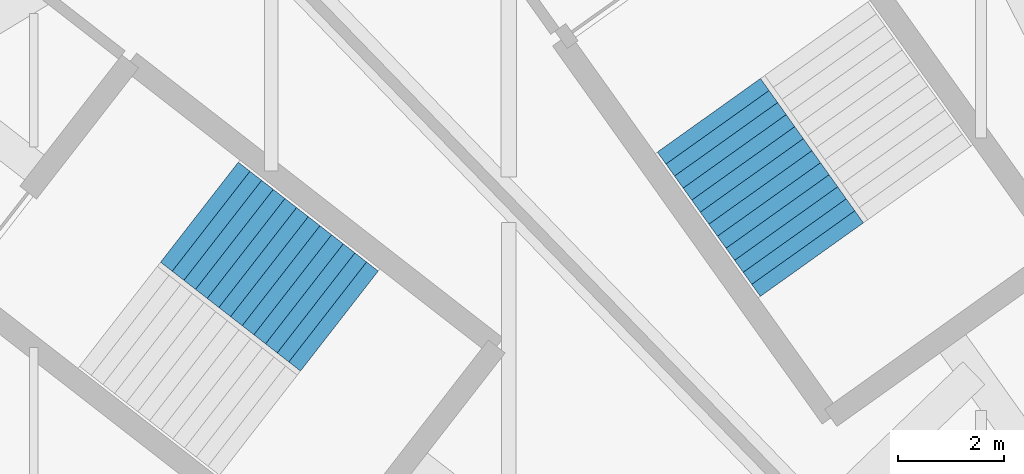
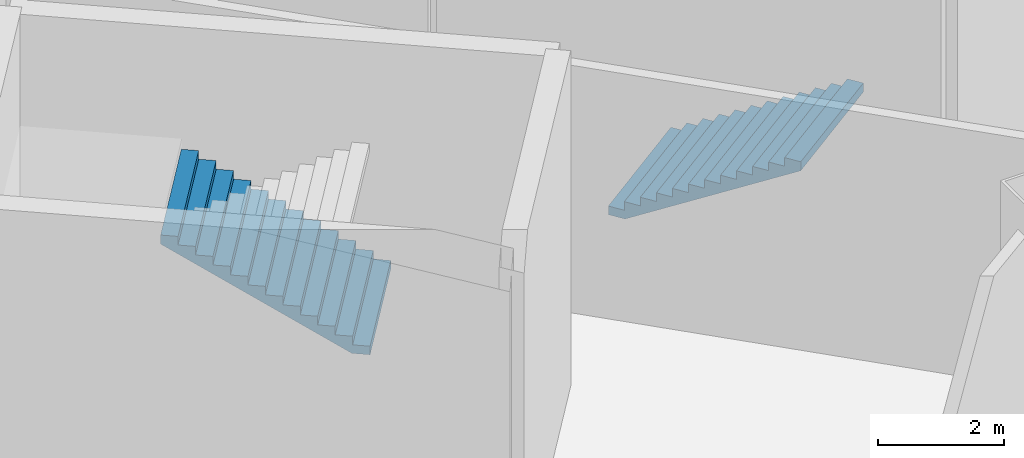
# One storey, part 33 of 47: 2 stair flights, 2 elements without a shape of their own.
"""IFC4 building model written with IfcOpenShell, lengths in metres."""

from ifc_helpers import new_model, si_unit, direction, frame, origin, place, context, subcontext, project, spatial, triangles, material, type_object, element, aggregate, save


model = new_model("IFC4")

# Units and contexts
model_context = context("Model", 3, precision=1e-05, world=origin(), true_north=direction((0.0, 1.0)))
body_context = subcontext(model_context, "Body", "Model", "MODEL_VIEW")
ifc_project = project(units=[si_unit("LENGTHUNIT", "METRE"), si_unit("AREAUNIT", "SQUARE_METRE"), si_unit("VOLUMEUNIT", "CUBIC_METRE"), si_unit("PLANEANGLEUNIT", "RADIAN"), si_unit("MASSUNIT", "GRAM", prefix="KILO")], contexts=[model_context])

# Site, building, storey
site_placement = place(None, origin())
site = spatial("IfcSite", under=ifc_project, at=site_placement, CompositionType="ELEMENT")
building_placement = place(site_placement, origin())
building = spatial("IfcBuilding", under=site, at=building_placement, Name="Lantaw Convention Tower", CompositionType="ELEMENT")
storey_placement = place(building_placement, origin())
storey = spatial("IfcBuildingStorey", under=building, at=storey_placement, Name="L00", CompositionType="ELEMENT", Elevation=0.0)

# Stair, stair flight
ifc_material = material(Name="Concrete C35/45", Category="concrete")
stair_type = type_object("IfcStairType", Name="Exit stair 2400 riser 166.67 in 3 flights", PredefinedType="HALF_TURN_STAIR", material=ifc_material)
stair_1_placement = place(storey_placement, origin())
stair_1 = element("IfcStair", 1, at=stair_1_placement, inside=storey, type_object=stair_type, Name="Podium exit stair P6 L00", PredefinedType="HALF_TURN_STAIR")
stair_flight_type = type_object("IfcStairFlightType", Name="Stair flight 2400 riser 166.67", PredefinedType="STRAIGHT", material=ifc_material)
stair_flight_1_placement = place(storey_placement, frame((-20.956787109375, 27.2275390625, 0.0), z_axis=(0.0, 0.0, 1.0), x_axis=(0.580702955711, -0.814115518356, 0.0)))
stair_flight_1 = element("IfcStairFlight", 2, at=stair_flight_1_placement, type_object=stair_flight_type, Name="P6 flight 1", NumberOfRisers=13, NumberOfTreads=12, PredefinedType="STRAIGHT", RiserHeight=0.166666667, TreadLength=0.28, context=body_context, shape_type="Tessellation", body=[
    triangles([(0.0, 1.199951171875, 0.0), (0.0, 1.199951171875, 0.166666667), (0.28, 1.199951171875, 0.0), (0.28, 1.199951171875, 0.166666667), (0.28, 1.199951171875, 0.333333334), (0.29307345806906815, 1.199951171875, 0.0), (0.29307345806906815, 1.199951171875, 0.333333334), (0.56, 1.199951171875, 0.15888484670522912), (0.56, 1.199951171875, 0.333333334), (0.56, 1.199951171875, 0.500000001), (0.8400000000000001, 1.199951171875, 0.3255515137052291), (0.8400000000000001, 1.199951171875, 0.500000001), (0.8400000000000001, 1.199951171875, 0.666666668), (1.12, 1.199951171875, 0.49221818070522905), (1.12, 1.199951171875, 0.666666668), (1.12, 1.199951171875, 0.833333335), (1.4000000000000001, 1.199951171875, 0.658884847705229), (1.4000000000000001, 1.199951171875, 0.833333335), (1.4000000000000001, 1.199951171875, 1.000000002), (1.6800000000000002, 1.199951171875, 0.825551514705229), (1.6800000000000002, 1.199951171875, 1.000000002), (1.6800000000000002, 1.199951171875, 1.166666669), (1.9600000000000002, 1.199951171875, 0.992218181705229), (1.9600000000000002, 1.199951171875, 1.166666669), (1.9600000000000002, 1.199951171875, 1.333333336), (2.24, 1.199951171875, 1.158884848705229), (2.24, 1.199951171875, 1.333333336), (2.24, 1.199951171875, 1.5000000029999998), (2.5200000000000005, 1.199951171875, 1.325551515705229), (2.5200000000000005, 1.199951171875, 1.5000000029999998), (2.5200000000000005, 1.199951171875, 1.66666667), (2.8000000000000003, 1.199951171875, 1.492218182705229), (2.8000000000000003, 1.199951171875, 1.66666667), (2.8000000000000003, 1.199951171875, 1.833333337), (3.08, 1.199951171875, 1.6588848497052289), (3.08, 1.199951171875, 1.833333337), (3.08, 1.199951171875, 2.000000004), (3.3600000000000003, 1.199951171875, 1.825551516705229), (3.3600000000000003, 1.199951171875, 2.000000004), (0.0, -1.199951171875, 0.0), (0.0, -1.199951171875, 0.166666667), (0.28, -1.199951171875, 0.0), (0.28, -1.199951171875, 0.166666667), (0.28, -1.199951171875, 0.333333334), (0.29307345806906815, -1.199951171875, 0.0), (0.29307345806906815, -1.199951171875, 0.333333334), (0.56, -1.199951171875, 0.15888484670522912), (0.56, -1.199951171875, 0.333333334), (0.56, -1.199951171875, 0.500000001), (0.8400000000000001, -1.199951171875, 0.3255515137052291), (0.8400000000000001, -1.199951171875, 0.500000001), (0.8400000000000001, -1.199951171875, 0.666666668), (1.12, -1.199951171875, 0.49221818070522905), (1.12, -1.199951171875, 0.666666668), (1.12, -1.199951171875, 0.833333335), (1.4000000000000001, -1.199951171875, 0.658884847705229), (1.4000000000000001, -1.199951171875, 0.833333335), (1.4000000000000001, -1.199951171875, 1.000000002), (1.6800000000000002, -1.199951171875, 0.825551514705229), (1.6800000000000002, -1.199951171875, 1.000000002), (1.6800000000000002, -1.199951171875, 1.166666669), (1.9600000000000002, -1.199951171875, 0.992218181705229), (1.9600000000000002, -1.199951171875, 1.166666669), (1.9600000000000002, -1.199951171875, 1.333333336), (2.24, -1.199951171875, 1.158884848705229), (2.24, -1.199951171875, 1.333333336), (2.24, -1.199951171875, 1.5000000029999998), (2.5200000000000005, -1.199951171875, 1.325551515705229), (2.5200000000000005, -1.199951171875, 1.5000000029999998), (2.5200000000000005, -1.199951171875, 1.66666667), (2.8000000000000003, -1.199951171875, 1.492218182705229), (2.8000000000000003, -1.199951171875, 1.66666667), (2.8000000000000003, -1.199951171875, 1.833333337), (3.08, -1.199951171875, 1.6588848497052289), (3.08, -1.199951171875, 1.833333337), (3.08, -1.199951171875, 2.000000004), (3.3600000000000003, -1.199951171875, 1.825551516705229), (3.3600000000000003, -1.199951171875, 2.000000004), (0.0, 0.239990234375, 0.166666667), (0.0, 0.239990234375, 0.0), (0.0, 0.0, 0.166666667), (0.0, 0.0, 0.0), (0.0, -0.239990234375, 0.166666667), (0.0, -0.239990234375, 0.0), (0.28, 0.239990234375, 0.333333334), (0.28, 0.239990234375, 0.166666667), (0.28, 0.0, 0.333333334), (0.28, 0.0, 0.166666667), (0.28, -0.239990234375, 0.333333334), (0.28, -0.239990234375, 0.166666667), (0.56, 0.239990234375, 0.500000001), (0.56, 0.239990234375, 0.333333334), (0.56, 0.0, 0.500000001), (0.56, 0.0, 0.333333334), (0.56, -0.239990234375, 0.500000001), (0.56, -0.239990234375, 0.333333334), (0.8400000000000001, 0.239990234375, 0.666666668), (0.8400000000000001, 0.239990234375, 0.500000001), (0.8400000000000001, 0.0, 0.666666668), (0.8400000000000001, 0.0, 0.500000001), (0.8400000000000001, -0.239990234375, 0.666666668), (0.8400000000000001, -0.239990234375, 0.500000001), (1.12, 0.239990234375, 0.833333335), (1.12, 0.239990234375, 0.666666668), (1.12, 0.0, 0.833333335), (1.12, 0.0, 0.666666668), (1.12, -0.239990234375, 0.833333335), (1.12, -0.239990234375, 0.666666668), (1.4000000000000001, 0.239990234375, 1.000000002), (1.4000000000000001, 0.239990234375, 0.833333335), (1.4000000000000001, 0.0, 1.000000002), (1.4000000000000001, 0.0, 0.833333335), (1.4000000000000001, -0.239990234375, 1.000000002), (1.4000000000000001, -0.239990234375, 0.833333335), (1.6800000000000002, 0.239990234375, 1.166666669), (1.6800000000000002, 0.239990234375, 1.000000002), (1.6800000000000002, 0.0, 1.166666669), (1.6800000000000002, 0.0, 1.000000002), (1.6800000000000002, -0.239990234375, 1.166666669), (1.6800000000000002, -0.239990234375, 1.000000002), (1.9600000000000002, 0.239990234375, 1.333333336), (1.9600000000000002, 0.239990234375, 1.166666669), (1.9600000000000002, 0.0, 1.333333336), (1.9600000000000002, 0.0, 1.166666669), (1.9600000000000002, -0.239990234375, 1.333333336), (1.9600000000000002, -0.239990234375, 1.166666669), (2.24, 0.239990234375, 1.5000000029999998), (2.24, 0.239990234375, 1.333333336), (2.24, 0.0, 1.5000000029999998), (2.24, 0.0, 1.333333336), (2.24, -0.239990234375, 1.5000000029999998), (2.24, -0.239990234375, 1.333333336), (2.5200000000000005, 0.239990234375, 1.66666667), (2.5200000000000005, 0.239990234375, 1.5000000029999998), (2.5200000000000005, 0.0, 1.66666667), (2.5200000000000005, 0.0, 1.5000000029999998), (2.5200000000000005, -0.239990234375, 1.66666667), (2.5200000000000005, -0.239990234375, 1.5000000029999998), (2.8000000000000003, 0.239990234375, 1.833333337), (2.8000000000000003, 0.239990234375, 1.66666667), (2.8000000000000003, 0.0, 1.833333337), (2.8000000000000003, 0.0, 1.66666667), (2.8000000000000003, -0.239990234375, 1.833333337), (2.8000000000000003, -0.239990234375, 1.66666667), (3.08, 0.239990234375, 2.000000004), (3.08, 0.239990234375, 1.833333337), (3.08, 0.0, 2.000000004), (3.08, 0.0, 1.833333337), (3.08, -0.239990234375, 2.000000004), (3.08, -0.239990234375, 1.833333337), (0.29307345806906815, 0.239990234375, 0.333333334), (0.29307345806906815, 0.0, 0.333333334), (0.29307345806906815, -0.239990234375, 0.333333334), (3.3600000000000003, 0.239990234375, 2.000000004), (3.3600000000000003, 0.0, 2.000000004), (3.3600000000000003, -0.239990234375, 2.000000004), (3.3600000000000003, 0.239990234375, 1.8255515167052292), (3.3600000000000003, 0.0, 1.8255515167052292), (3.3600000000000003, -0.239990234375, 1.8255515167052292), (3.08, 0.239990234375, 1.6588848497052289), (3.08, 0.0, 1.6588848497052289), (3.08, -0.239990234375, 1.6588848497052289), (2.8000000000000003, 0.239990234375, 1.492218182705229), (2.8000000000000003, 0.0, 1.492218182705229), (2.8000000000000003, -0.239990234375, 1.492218182705229), (2.5200000000000005, 0.239990234375, 1.325551515705229), (2.5200000000000005, 0.0, 1.325551515705229), (2.5200000000000005, -0.239990234375, 1.325551515705229), (2.24, 0.239990234375, 1.158884848705229), (2.24, 0.0, 1.158884848705229), (2.24, -0.239990234375, 1.158884848705229), (1.9600000000000002, 0.239990234375, 0.992218181705229), (1.9600000000000002, 0.0, 0.992218181705229), (1.9600000000000002, -0.239990234375, 0.992218181705229), (1.6800000000000002, 0.239990234375, 0.825551514705229), (1.6800000000000002, 0.0, 0.825551514705229), (1.6800000000000002, -0.239990234375, 0.825551514705229), (1.4000000000000001, 0.239990234375, 0.658884847705229), (1.4000000000000001, 0.0, 0.658884847705229), (1.4000000000000001, -0.239990234375, 0.658884847705229), (1.12, 0.239990234375, 0.49221818070522905), (1.12, 0.0, 0.49221818070522905), (1.12, -0.239990234375, 0.49221818070522905), (0.8400000000000001, 0.239990234375, 0.3255515137052291), (0.8400000000000001, 0.0, 0.3255515137052291), (0.8400000000000001, -0.239990234375, 0.3255515137052291), (0.56, 0.239990234375, 0.15888484670522912), (0.56, 0.0, 0.15888484670522912), (0.56, -0.239990234375, 0.15888484670522912), (0.29307345806906815, 0.239990234375, 0.0), (0.29307345806906815, 0.0, 0.0), (0.29307345806906815, -0.239990234375, 0.0), (0.28, 0.239990234375, 0.0), (0.28, 0.0, 0.0), (0.28, -0.239990234375, 0.0)], [[1, 4, 3], [1, 2, 4], [3, 4, 6], [4, 7, 6], [4, 5, 7], [6, 9, 8], [6, 7, 9], [8, 9, 11], [9, 12, 11], [9, 10, 12], [11, 12, 14], [12, 15, 14], [12, 13, 15], [14, 15, 17], [15, 18, 17], [15, 16, 18], [17, 18, 20], [18, 21, 20], [18, 19, 21], [20, 21, 23], [21, 24, 23], [21, 22, 24], [23, 24, 26], [24, 27, 26], [24, 25, 27], [26, 27, 29], [27, 30, 29], [27, 28, 30], [29, 30, 32], [30, 33, 32], [30, 31, 33], [32, 33, 35], [33, 36, 35], [33, 34, 36], [35, 36, 38], [36, 39, 38], [36, 37, 39], [40, 42, 43], [40, 43, 41], [42, 45, 43], [43, 45, 46], [43, 46, 44], [45, 47, 48], [45, 48, 46], [47, 50, 48], [48, 50, 51], [48, 51, 49], [50, 53, 51], [51, 53, 54], [51, 54, 52], [53, 56, 54], [54, 56, 57], [54, 57, 55], [56, 59, 57], [57, 59, 60], [57, 60, 58], [59, 62, 60], [60, 62, 63], [60, 63, 61], [62, 65, 63], [63, 65, 66], [63, 66, 64], [65, 68, 66], [66, 68, 69], [66, 69, 67], [68, 71, 69], [69, 71, 72], [69, 72, 70], [71, 74, 72], [72, 74, 75], [72, 75, 73], [74, 77, 75], [75, 77, 78], [75, 78, 76], [1, 79, 2], [1, 80, 79], [80, 81, 79], [80, 82, 81], [82, 83, 81], [82, 84, 83], [84, 41, 83], [84, 40, 41], [4, 85, 5], [4, 86, 85], [86, 87, 85], [86, 88, 87], [88, 89, 87], [88, 90, 89], [90, 44, 89], [90, 43, 44], [9, 91, 10], [9, 92, 91], [92, 93, 91], [92, 94, 93], [94, 95, 93], [94, 96, 95], [96, 49, 95], [96, 48, 49], [12, 97, 13], [12, 98, 97], [98, 99, 97], [98, 100, 99], [100, 101, 99], [100, 102, 101], [102, 52, 101], [102, 51, 52], [15, 103, 16], [15, 104, 103], [104, 105, 103], [104, 106, 105], [106, 107, 105], [106, 108, 107], [108, 55, 107], [108, 54, 55], [18, 109, 19], [18, 110, 109], [110, 111, 109], [110, 112, 111], [112, 113, 111], [112, 114, 113], [114, 58, 113], [114, 57, 58], [21, 115, 22], [21, 116, 115], [116, 117, 115], [116, 118, 117], [118, 119, 117], [118, 120, 119], [120, 61, 119], [120, 60, 61], [24, 121, 25], [24, 122, 121], [122, 123, 121], [122, 124, 123], [124, 125, 123], [124, 126, 125], [126, 64, 125], [126, 63, 64], [27, 127, 28], [27, 128, 127], [128, 129, 127], [128, 130, 129], [130, 131, 129], [130, 132, 131], [132, 67, 131], [132, 66, 67], [30, 133, 31], [30, 134, 133], [134, 135, 133], [134, 136, 135], [136, 137, 135], [136, 138, 137], [138, 70, 137], [138, 69, 70], [33, 139, 34], [33, 140, 139], [140, 141, 139], [140, 142, 141], [142, 143, 141], [142, 144, 143], [144, 73, 143], [144, 72, 73], [36, 145, 37], [36, 146, 145], [146, 147, 145], [146, 148, 147], [148, 149, 147], [148, 150, 149], [150, 76, 149], [150, 75, 76], [2, 86, 4], [2, 79, 86], [79, 88, 86], [79, 81, 88], [81, 90, 88], [81, 83, 90], [83, 43, 90], [83, 41, 43], [5, 151, 7], [5, 85, 151], [85, 152, 151], [85, 87, 152], [87, 153, 152], [87, 89, 153], [89, 46, 153], [89, 44, 46], [7, 92, 9], [7, 151, 92], [151, 94, 92], [151, 152, 94], [152, 96, 94], [152, 153, 96], [153, 48, 96], [153, 46, 48], [10, 98, 12], [10, 91, 98], [91, 100, 98], [91, 93, 100], [93, 102, 100], [93, 95, 102], [95, 51, 102], [95, 49, 51], [13, 104, 15], [13, 97, 104], [97, 106, 104], [97, 99, 106], [99, 108, 106], [99, 101, 108], [101, 54, 108], [101, 52, 54], [16, 110, 18], [16, 103, 110], [103, 112, 110], [103, 105, 112], [105, 114, 112], [105, 107, 114], [107, 57, 114], [107, 55, 57], [19, 116, 21], [19, 109, 116], [109, 118, 116], [109, 111, 118], [111, 120, 118], [111, 113, 120], [113, 60, 120], [113, 58, 60], [22, 122, 24], [22, 115, 122], [115, 124, 122], [115, 117, 124], [117, 126, 124], [117, 119, 126], [119, 63, 126], [119, 61, 63], [25, 128, 27], [25, 121, 128], [121, 130, 128], [121, 123, 130], [123, 132, 130], [123, 125, 132], [125, 66, 132], [125, 64, 66], [28, 134, 30], [28, 127, 134], [127, 136, 134], [127, 129, 136], [129, 138, 136], [129, 131, 138], [131, 69, 138], [131, 67, 69], [31, 140, 33], [31, 133, 140], [133, 142, 140], [133, 135, 142], [135, 144, 142], [135, 137, 144], [137, 72, 144], [137, 70, 72], [34, 146, 36], [34, 139, 146], [139, 148, 146], [139, 141, 148], [141, 150, 148], [141, 143, 150], [143, 75, 150], [143, 73, 75], [37, 154, 39], [37, 145, 154], [145, 155, 154], [145, 147, 155], [147, 156, 155], [147, 149, 156], [149, 78, 156], [149, 76, 78], [39, 157, 38], [39, 154, 157], [154, 158, 157], [154, 155, 158], [155, 159, 158], [155, 156, 159], [156, 77, 159], [156, 78, 77], [38, 160, 35], [38, 157, 160], [157, 161, 160], [157, 158, 161], [158, 162, 161], [158, 159, 162], [159, 74, 162], [159, 77, 74], [35, 163, 32], [35, 160, 163], [160, 164, 163], [160, 161, 164], [161, 165, 164], [161, 162, 165], [162, 71, 165], [162, 74, 71], [32, 166, 29], [32, 163, 166], [163, 167, 166], [163, 164, 167], [164, 168, 167], [164, 165, 168], [165, 68, 168], [165, 71, 68], [29, 169, 26], [29, 166, 169], [166, 170, 169], [166, 167, 170], [167, 171, 170], [167, 168, 171], [168, 65, 171], [168, 68, 65], [26, 172, 23], [26, 169, 172], [169, 173, 172], [169, 170, 173], [170, 174, 173], [170, 171, 174], [171, 62, 174], [171, 65, 62], [23, 175, 20], [23, 172, 175], [172, 176, 175], [172, 173, 176], [173, 177, 176], [173, 174, 177], [174, 59, 177], [174, 62, 59], [20, 178, 17], [20, 175, 178], [175, 179, 178], [175, 176, 179], [176, 180, 179], [176, 177, 180], [177, 56, 180], [177, 59, 56], [17, 181, 14], [17, 178, 181], [178, 182, 181], [178, 179, 182], [179, 183, 182], [179, 180, 183], [180, 53, 183], [180, 56, 53], [14, 184, 11], [14, 181, 184], [181, 185, 184], [181, 182, 185], [182, 186, 185], [182, 183, 186], [183, 50, 186], [183, 53, 50], [11, 187, 8], [11, 184, 187], [184, 188, 187], [184, 185, 188], [185, 189, 188], [185, 186, 189], [186, 47, 189], [186, 50, 47], [8, 190, 6], [8, 187, 190], [187, 191, 190], [187, 188, 191], [188, 192, 191], [188, 189, 192], [189, 45, 192], [189, 47, 45], [6, 193, 3], [6, 190, 193], [190, 194, 193], [190, 191, 194], [191, 195, 194], [191, 192, 195], [192, 42, 195], [192, 45, 42], [3, 80, 1], [3, 193, 80], [193, 82, 80], [193, 194, 82], [194, 84, 82], [194, 195, 84], [195, 40, 84], [195, 42, 40]], closed=True),
])
aggregate(stair_1, [stair_flight_1])

stair_2_placement = place(storey_placement, origin())
stair_2 = element("IfcStair", 3, at=stair_2_placement, inside=storey, type_object=stair_type, Name="Podium exit stair P7 L00", PredefinedType="HALF_TURN_STAIR")
stair_flight_2_placement = place(storey_placement, frame((-27.959716796875, 23.327880859375, 2.166748046875), z_axis=(0.0, 0.0, 1.0), x_axis=(-0.789378829664, 0.613906396186, 0.0)))
stair_flight_2 = element("IfcStairFlight", 4, at=stair_flight_2_placement, type_object=stair_flight_type, Name="P7 flight 2", NumberOfRisers=13, NumberOfTreads=12, PredefinedType="STRAIGHT", RiserHeight=0.166666667, TreadLength=0.28, context=body_context, shape_type="Tessellation", body=[
    triangles([(0.0, 1.199951171875, 0.0), (0.0, 1.199951171875, 0.166666667), (0.28, 1.199951171875, 0.0), (0.28, 1.199951171875, 0.166666667), (0.28, 1.199951171875, 0.333333334), (0.29307345806906815, 1.199951171875, 0.0), (0.29307345806906815, 1.199951171875, 0.333333334), (0.56, 1.199951171875, 0.15888484670522912), (0.56, 1.199951171875, 0.333333334), (0.56, 1.199951171875, 0.500000001), (0.8400000000000001, 1.199951171875, 0.3255515137052291), (0.8400000000000001, 1.199951171875, 0.500000001), (0.8400000000000001, 1.199951171875, 0.666666668), (1.12, 1.199951171875, 0.49221818070522905), (1.12, 1.199951171875, 0.666666668), (1.12, 1.199951171875, 0.833333335), (1.4000000000000001, 1.199951171875, 0.658884847705229), (1.4000000000000001, 1.199951171875, 0.833333335), (1.4000000000000001, 1.199951171875, 1.000000002), (1.6800000000000002, 1.199951171875, 0.825551514705229), (1.6800000000000002, 1.199951171875, 1.000000002), (1.6800000000000002, 1.199951171875, 1.166666669), (1.9600000000000002, 1.199951171875, 0.992218181705229), (1.9600000000000002, 1.199951171875, 1.166666669), (1.9600000000000002, 1.199951171875, 1.333333336), (2.24, 1.199951171875, 1.158884848705229), (2.24, 1.199951171875, 1.333333336), (2.24, 1.199951171875, 1.5000000029999998), (2.5200000000000005, 1.199951171875, 1.325551515705229), (2.5200000000000005, 1.199951171875, 1.5000000029999998), (2.5200000000000005, 1.199951171875, 1.66666667), (2.8000000000000003, 1.199951171875, 1.492218182705229), (2.8000000000000003, 1.199951171875, 1.66666667), (2.8000000000000003, 1.199951171875, 1.833333337), (3.08, 1.199951171875, 1.6588848497052289), (3.08, 1.199951171875, 1.833333337), (3.08, 1.199951171875, 2.000000004), (3.3600000000000003, 1.199951171875, 1.825551516705229), (3.3600000000000003, 1.199951171875, 2.000000004), (0.0, -1.199951171875, 0.0), (0.0, -1.199951171875, 0.166666667), (0.28, -1.199951171875, 0.0), (0.28, -1.199951171875, 0.166666667), (0.28, -1.199951171875, 0.333333334), (0.29307345806906815, -1.199951171875, 0.0), (0.29307345806906815, -1.199951171875, 0.333333334), (0.56, -1.199951171875, 0.15888484670522912), (0.56, -1.199951171875, 0.333333334), (0.56, -1.199951171875, 0.500000001), (0.8400000000000001, -1.199951171875, 0.3255515137052291), (0.8400000000000001, -1.199951171875, 0.500000001), (0.8400000000000001, -1.199951171875, 0.666666668), (1.12, -1.199951171875, 0.49221818070522905), (1.12, -1.199951171875, 0.666666668), (1.12, -1.199951171875, 0.833333335), (1.4000000000000001, -1.199951171875, 0.658884847705229), (1.4000000000000001, -1.199951171875, 0.833333335), (1.4000000000000001, -1.199951171875, 1.000000002), (1.6800000000000002, -1.199951171875, 0.825551514705229), (1.6800000000000002, -1.199951171875, 1.000000002), (1.6800000000000002, -1.199951171875, 1.166666669), (1.9600000000000002, -1.199951171875, 0.992218181705229), (1.9600000000000002, -1.199951171875, 1.166666669), (1.9600000000000002, -1.199951171875, 1.333333336), (2.24, -1.199951171875, 1.158884848705229), (2.24, -1.199951171875, 1.333333336), (2.24, -1.199951171875, 1.5000000029999998), (2.5200000000000005, -1.199951171875, 1.325551515705229), (2.5200000000000005, -1.199951171875, 1.5000000029999998), (2.5200000000000005, -1.199951171875, 1.66666667), (2.8000000000000003, -1.199951171875, 1.492218182705229), (2.8000000000000003, -1.199951171875, 1.66666667), (2.8000000000000003, -1.199951171875, 1.833333337), (3.08, -1.199951171875, 1.6588848497052289), (3.08, -1.199951171875, 1.833333337), (3.08, -1.199951171875, 2.000000004), (3.3600000000000003, -1.199951171875, 1.825551516705229), (3.3600000000000003, -1.199951171875, 2.000000004), (0.0, 0.239990234375, 0.166666667), (0.0, 0.239990234375, 0.0), (0.0, 0.0, 0.166666667), (0.0, 0.0, 0.0), (0.0, -0.239990234375, 0.166666667), (0.0, -0.239990234375, 0.0), (0.28, 0.239990234375, 0.333333334), (0.28, 0.239990234375, 0.166666667), (0.28, 0.0, 0.333333334), (0.28, 0.0, 0.166666667), (0.28, -0.239990234375, 0.333333334), (0.28, -0.239990234375, 0.166666667), (0.56, 0.239990234375, 0.500000001), (0.56, 0.239990234375, 0.333333334), (0.56, 0.0, 0.500000001), (0.56, 0.0, 0.333333334), (0.56, -0.239990234375, 0.500000001), (0.56, -0.239990234375, 0.333333334), (0.8400000000000001, 0.239990234375, 0.666666668), (0.8400000000000001, 0.239990234375, 0.500000001), (0.8400000000000001, 0.0, 0.666666668), (0.8400000000000001, 0.0, 0.500000001), (0.8400000000000001, -0.239990234375, 0.666666668), (0.8400000000000001, -0.239990234375, 0.500000001), (1.12, 0.239990234375, 0.833333335), (1.12, 0.239990234375, 0.666666668), (1.12, 0.0, 0.833333335), (1.12, 0.0, 0.666666668), (1.12, -0.239990234375, 0.833333335), (1.12, -0.239990234375, 0.666666668), (1.4000000000000001, 0.239990234375, 1.000000002), (1.4000000000000001, 0.239990234375, 0.833333335), (1.4000000000000001, 0.0, 1.000000002), (1.4000000000000001, 0.0, 0.833333335), (1.4000000000000001, -0.239990234375, 1.000000002), (1.4000000000000001, -0.239990234375, 0.833333335), (1.6800000000000002, 0.239990234375, 1.166666669), (1.6800000000000002, 0.239990234375, 1.000000002), (1.6800000000000002, 0.0, 1.166666669), (1.6800000000000002, 0.0, 1.000000002), (1.6800000000000002, -0.239990234375, 1.166666669), (1.6800000000000002, -0.239990234375, 1.000000002), (1.9600000000000002, 0.239990234375, 1.333333336), (1.9600000000000002, 0.239990234375, 1.166666669), (1.9600000000000002, 0.0, 1.333333336), (1.9600000000000002, 0.0, 1.166666669), (1.9600000000000002, -0.239990234375, 1.333333336), (1.9600000000000002, -0.239990234375, 1.166666669), (2.24, 0.239990234375, 1.5000000029999998), (2.24, 0.239990234375, 1.333333336), (2.24, 0.0, 1.5000000029999998), (2.24, 0.0, 1.333333336), (2.24, -0.239990234375, 1.5000000029999998), (2.24, -0.239990234375, 1.333333336), (2.5200000000000005, 0.239990234375, 1.66666667), (2.5200000000000005, 0.239990234375, 1.5000000029999998), (2.5200000000000005, 0.0, 1.66666667), (2.5200000000000005, 0.0, 1.5000000029999998), (2.5200000000000005, -0.239990234375, 1.66666667), (2.5200000000000005, -0.239990234375, 1.5000000029999998), (2.8000000000000003, 0.239990234375, 1.833333337), (2.8000000000000003, 0.239990234375, 1.66666667), (2.8000000000000003, 0.0, 1.833333337), (2.8000000000000003, 0.0, 1.66666667), (2.8000000000000003, -0.239990234375, 1.833333337), (2.8000000000000003, -0.239990234375, 1.66666667), (3.08, 0.239990234375, 2.000000004), (3.08, 0.239990234375, 1.833333337), (3.08, 0.0, 2.000000004), (3.08, 0.0, 1.833333337), (3.08, -0.239990234375, 2.000000004), (3.08, -0.239990234375, 1.833333337), (0.29307345806906815, 0.239990234375, 0.333333334), (0.29307345806906815, 0.0, 0.333333334), (0.29307345806906815, -0.239990234375, 0.333333334), (3.3600000000000003, 0.239990234375, 2.000000004), (3.3600000000000003, 0.0, 2.000000004), (3.3600000000000003, -0.239990234375, 2.000000004), (3.3600000000000003, 0.239990234375, 1.8255515167052292), (3.3600000000000003, 0.0, 1.8255515167052292), (3.3600000000000003, -0.239990234375, 1.8255515167052292), (3.08, 0.239990234375, 1.6588848497052289), (3.08, 0.0, 1.6588848497052289), (3.08, -0.239990234375, 1.6588848497052289), (2.8000000000000003, 0.239990234375, 1.492218182705229), (2.8000000000000003, 0.0, 1.492218182705229), (2.8000000000000003, -0.239990234375, 1.492218182705229), (2.5200000000000005, 0.239990234375, 1.325551515705229), (2.5200000000000005, 0.0, 1.325551515705229), (2.5200000000000005, -0.239990234375, 1.325551515705229), (2.24, 0.239990234375, 1.158884848705229), (2.24, 0.0, 1.158884848705229), (2.24, -0.239990234375, 1.158884848705229), (1.9600000000000002, 0.239990234375, 0.992218181705229), (1.9600000000000002, 0.0, 0.992218181705229), (1.9600000000000002, -0.239990234375, 0.992218181705229), (1.6800000000000002, 0.239990234375, 0.825551514705229), (1.6800000000000002, 0.0, 0.825551514705229), (1.6800000000000002, -0.239990234375, 0.825551514705229), (1.4000000000000001, 0.239990234375, 0.658884847705229), (1.4000000000000001, 0.0, 0.658884847705229), (1.4000000000000001, -0.239990234375, 0.658884847705229), (1.12, 0.239990234375, 0.49221818070522905), (1.12, 0.0, 0.49221818070522905), (1.12, -0.239990234375, 0.49221818070522905), (0.8400000000000001, 0.239990234375, 0.3255515137052291), (0.8400000000000001, 0.0, 0.3255515137052291), (0.8400000000000001, -0.239990234375, 0.3255515137052291), (0.56, 0.239990234375, 0.15888484670522912), (0.56, 0.0, 0.15888484670522912), (0.56, -0.239990234375, 0.15888484670522912), (0.29307345806906815, 0.239990234375, 0.0), (0.29307345806906815, 0.0, 0.0), (0.29307345806906815, -0.239990234375, 0.0), (0.28, 0.239990234375, 0.0), (0.28, 0.0, 0.0), (0.28, -0.239990234375, 0.0)], [[1, 4, 3], [1, 2, 4], [3, 4, 6], [4, 7, 6], [4, 5, 7], [6, 9, 8], [6, 7, 9], [8, 9, 11], [9, 12, 11], [9, 10, 12], [11, 12, 14], [12, 15, 14], [12, 13, 15], [14, 15, 17], [15, 18, 17], [15, 16, 18], [17, 18, 20], [18, 21, 20], [18, 19, 21], [20, 21, 23], [21, 24, 23], [21, 22, 24], [23, 24, 26], [24, 27, 26], [24, 25, 27], [26, 27, 29], [27, 30, 29], [27, 28, 30], [29, 30, 32], [30, 33, 32], [30, 31, 33], [32, 33, 35], [33, 36, 35], [33, 34, 36], [35, 36, 38], [36, 39, 38], [36, 37, 39], [40, 42, 43], [40, 43, 41], [42, 45, 43], [43, 45, 46], [43, 46, 44], [45, 47, 48], [45, 48, 46], [47, 50, 48], [48, 50, 51], [48, 51, 49], [50, 53, 51], [51, 53, 54], [51, 54, 52], [53, 56, 54], [54, 56, 57], [54, 57, 55], [56, 59, 57], [57, 59, 60], [57, 60, 58], [59, 62, 60], [60, 62, 63], [60, 63, 61], [62, 65, 63], [63, 65, 66], [63, 66, 64], [65, 68, 66], [66, 68, 69], [66, 69, 67], [68, 71, 69], [69, 71, 72], [69, 72, 70], [71, 74, 72], [72, 74, 75], [72, 75, 73], [74, 77, 75], [75, 77, 78], [75, 78, 76], [1, 79, 2], [1, 80, 79], [80, 81, 79], [80, 82, 81], [82, 83, 81], [82, 84, 83], [84, 41, 83], [84, 40, 41], [4, 85, 5], [4, 86, 85], [86, 87, 85], [86, 88, 87], [88, 89, 87], [88, 90, 89], [90, 44, 89], [90, 43, 44], [9, 91, 10], [9, 92, 91], [92, 93, 91], [92, 94, 93], [94, 95, 93], [94, 96, 95], [96, 49, 95], [96, 48, 49], [12, 97, 13], [12, 98, 97], [98, 99, 97], [98, 100, 99], [100, 101, 99], [100, 102, 101], [102, 52, 101], [102, 51, 52], [15, 103, 16], [15, 104, 103], [104, 105, 103], [104, 106, 105], [106, 107, 105], [106, 108, 107], [108, 55, 107], [108, 54, 55], [18, 109, 19], [18, 110, 109], [110, 111, 109], [110, 112, 111], [112, 113, 111], [112, 114, 113], [114, 58, 113], [114, 57, 58], [21, 115, 22], [21, 116, 115], [116, 117, 115], [116, 118, 117], [118, 119, 117], [118, 120, 119], [120, 61, 119], [120, 60, 61], [24, 121, 25], [24, 122, 121], [122, 123, 121], [122, 124, 123], [124, 125, 123], [124, 126, 125], [126, 64, 125], [126, 63, 64], [27, 127, 28], [27, 128, 127], [128, 129, 127], [128, 130, 129], [130, 131, 129], [130, 132, 131], [132, 67, 131], [132, 66, 67], [30, 133, 31], [30, 134, 133], [134, 135, 133], [134, 136, 135], [136, 137, 135], [136, 138, 137], [138, 70, 137], [138, 69, 70], [33, 139, 34], [33, 140, 139], [140, 141, 139], [140, 142, 141], [142, 143, 141], [142, 144, 143], [144, 73, 143], [144, 72, 73], [36, 145, 37], [36, 146, 145], [146, 147, 145], [146, 148, 147], [148, 149, 147], [148, 150, 149], [150, 76, 149], [150, 75, 76], [2, 86, 4], [2, 79, 86], [79, 88, 86], [79, 81, 88], [81, 90, 88], [81, 83, 90], [83, 43, 90], [83, 41, 43], [5, 151, 7], [5, 85, 151], [85, 152, 151], [85, 87, 152], [87, 153, 152], [87, 89, 153], [89, 46, 153], [89, 44, 46], [7, 92, 9], [7, 151, 92], [151, 94, 92], [151, 152, 94], [152, 96, 94], [152, 153, 96], [153, 48, 96], [153, 46, 48], [10, 98, 12], [10, 91, 98], [91, 100, 98], [91, 93, 100], [93, 102, 100], [93, 95, 102], [95, 51, 102], [95, 49, 51], [13, 104, 15], [13, 97, 104], [97, 106, 104], [97, 99, 106], [99, 108, 106], [99, 101, 108], [101, 54, 108], [101, 52, 54], [16, 110, 18], [16, 103, 110], [103, 112, 110], [103, 105, 112], [105, 114, 112], [105, 107, 114], [107, 57, 114], [107, 55, 57], [19, 116, 21], [19, 109, 116], [109, 118, 116], [109, 111, 118], [111, 120, 118], [111, 113, 120], [113, 60, 120], [113, 58, 60], [22, 122, 24], [22, 115, 122], [115, 124, 122], [115, 117, 124], [117, 126, 124], [117, 119, 126], [119, 63, 126], [119, 61, 63], [25, 128, 27], [25, 121, 128], [121, 130, 128], [121, 123, 130], [123, 132, 130], [123, 125, 132], [125, 66, 132], [125, 64, 66], [28, 134, 30], [28, 127, 134], [127, 136, 134], [127, 129, 136], [129, 138, 136], [129, 131, 138], [131, 69, 138], [131, 67, 69], [31, 140, 33], [31, 133, 140], [133, 142, 140], [133, 135, 142], [135, 144, 142], [135, 137, 144], [137, 72, 144], [137, 70, 72], [34, 146, 36], [34, 139, 146], [139, 148, 146], [139, 141, 148], [141, 150, 148], [141, 143, 150], [143, 75, 150], [143, 73, 75], [37, 154, 39], [37, 145, 154], [145, 155, 154], [145, 147, 155], [147, 156, 155], [147, 149, 156], [149, 78, 156], [149, 76, 78], [39, 157, 38], [39, 154, 157], [154, 158, 157], [154, 155, 158], [155, 159, 158], [155, 156, 159], [156, 77, 159], [156, 78, 77], [38, 160, 35], [38, 157, 160], [157, 161, 160], [157, 158, 161], [158, 162, 161], [158, 159, 162], [159, 74, 162], [159, 77, 74], [35, 163, 32], [35, 160, 163], [160, 164, 163], [160, 161, 164], [161, 165, 164], [161, 162, 165], [162, 71, 165], [162, 74, 71], [32, 166, 29], [32, 163, 166], [163, 167, 166], [163, 164, 167], [164, 168, 167], [164, 165, 168], [165, 68, 168], [165, 71, 68], [29, 169, 26], [29, 166, 169], [166, 170, 169], [166, 167, 170], [167, 171, 170], [167, 168, 171], [168, 65, 171], [168, 68, 65], [26, 172, 23], [26, 169, 172], [169, 173, 172], [169, 170, 173], [170, 174, 173], [170, 171, 174], [171, 62, 174], [171, 65, 62], [23, 175, 20], [23, 172, 175], [172, 176, 175], [172, 173, 176], [173, 177, 176], [173, 174, 177], [174, 59, 177], [174, 62, 59], [20, 178, 17], [20, 175, 178], [175, 179, 178], [175, 176, 179], [176, 180, 179], [176, 177, 180], [177, 56, 180], [177, 59, 56], [17, 181, 14], [17, 178, 181], [178, 182, 181], [178, 179, 182], [179, 183, 182], [179, 180, 183], [180, 53, 183], [180, 56, 53], [14, 184, 11], [14, 181, 184], [181, 185, 184], [181, 182, 185], [182, 186, 185], [182, 183, 186], [183, 50, 186], [183, 53, 50], [11, 187, 8], [11, 184, 187], [184, 188, 187], [184, 185, 188], [185, 189, 188], [185, 186, 189], [186, 47, 189], [186, 50, 47], [8, 190, 6], [8, 187, 190], [187, 191, 190], [187, 188, 191], [188, 192, 191], [188, 189, 192], [189, 45, 192], [189, 47, 45], [6, 193, 3], [6, 190, 193], [190, 194, 193], [190, 191, 194], [191, 195, 194], [191, 192, 195], [192, 42, 195], [192, 45, 42], [3, 80, 1], [3, 193, 80], [193, 82, 80], [193, 194, 82], [194, 84, 82], [194, 195, 84], [195, 40, 84], [195, 42, 40]], closed=True),
])
aggregate(stair_2, [stair_flight_2])

save(model, "model.ifc")
